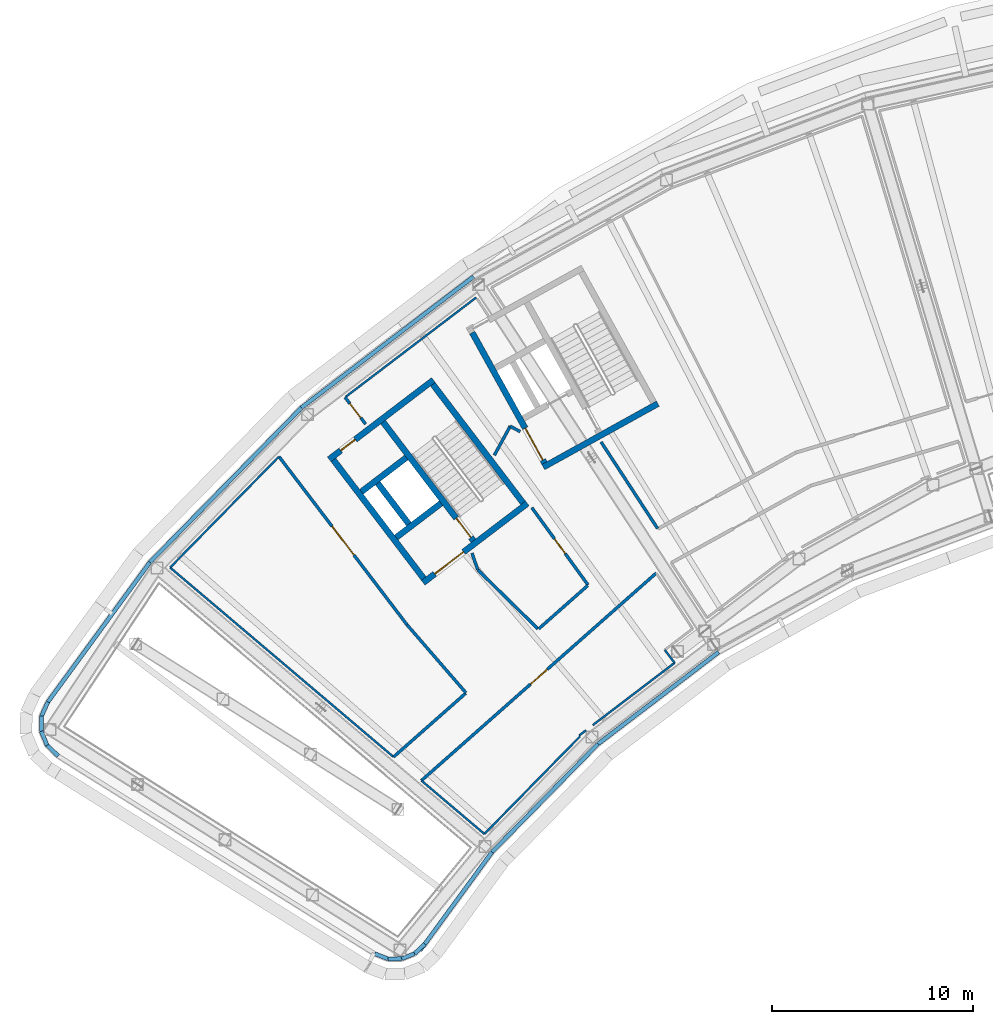
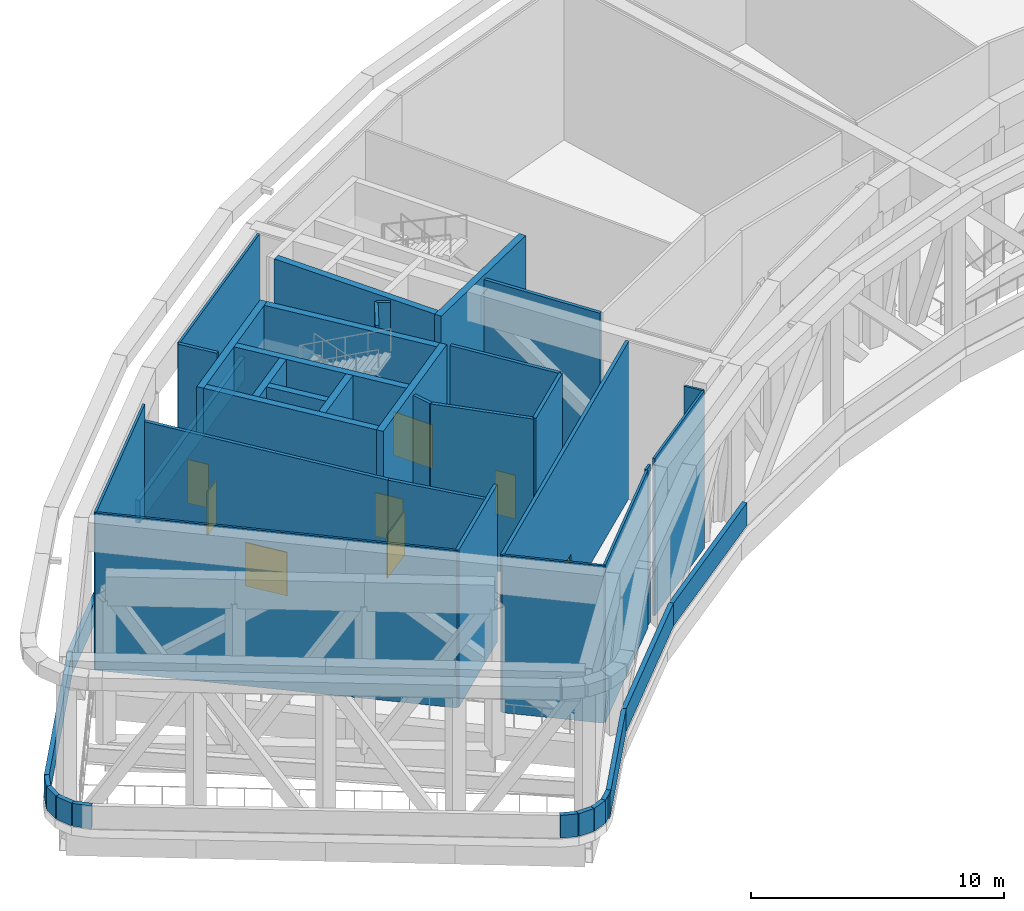
# One storey, part 7 of 24: 44 walls, 8 doors, 8 openings.
"""IFC4 building model written with IfcOpenShell, lengths in metres."""

from ifc_helpers import new_model, si_unit, direction, frame, frame_2d, origin, place, context, subcontext, project, spatial, rectangle, extrude, material, layer, layer_set, type_object, element, fill, save


model = new_model("IFC4")

# Units and contexts
model_context = context("Model", 3, precision=1e-05, world=origin(), true_north=direction((0.0, 1.0)))
body_context = subcontext(model_context, "Body", "Model", "MODEL_VIEW")
ifc_project = project(units=[si_unit("LENGTHUNIT", "METRE"), si_unit("AREAUNIT", "SQUARE_METRE"), si_unit("VOLUMEUNIT", "CUBIC_METRE"), si_unit("PLANEANGLEUNIT", "RADIAN"), si_unit("MASSUNIT", "GRAM", prefix="KILO")], contexts=[model_context])

# Site, building, storey
site_placement = place(None, origin())
site = spatial("IfcSite", under=ifc_project, at=site_placement, CompositionType="ELEMENT")
building_placement = place(site_placement, origin())
building = spatial("IfcBuilding", under=site, at=building_placement, Name="Tuul Gate Civic Tower", CompositionType="ELEMENT")
storey_placement = place(building_placement, frame((0.0, 0.0, 277.800048828125)))
storey = spatial("IfcBuildingStorey", under=building, at=storey_placement, Name="Wind floor 2", CompositionType="ELEMENT", Elevation=277.800048828125)

# Wall, opening, door
ifc_material_1 = material(Name="Concrete C50/60", Category="concrete")
ifc_layer_1 = layer(ifc_material_1, 0.300048828125)
ifc_layer_set_1 = layer_set([ifc_layer_1], Name="Concrete C50/60")
wall_type_1 = type_object("IfcWallType", Name="Core wall C50/60", PredefinedType="SHEAR", material=ifc_layer_set_1)
wall_1_placement = place(storey_placement, frame((-31.19091796875, -13.669677734375, 0.0), z_axis=(0.0, 0.0, 1.0), x_axis=(-0.795606717756, -0.605813461934, 0.0)))
wall_1 = element("IfcWall", 1, at=wall_1_placement, inside=storey, type_object=wall_type_1, Name="Core wall", PredefinedType="SHEAR", context=body_context, shape_type="SweptSolid", body=[
    extrude(rectangle(XDim=6.5, YDim=0.300048828125, at=frame_2d((3.25, 0.0))), origin(), (0.0, 0.0, 1.0), 7.599853515625),
])
opening_1_placement = place(wall_1_placement, frame((3.97509765625, 0.0, 0.0)))
opening_1 = element("IfcOpeningElement", 2, at=opening_1_placement, cuts=wall_1, Name="Opening LB-W1-LOBBY-1", PredefinedType="OPENING", context=body_context, shape_type="SweptSolid", body=[
    extrude(rectangle(XDim=1.800048828125, YDim=2.10009765625, at=frame_2d((0.89990234375, 1.050048828125))), frame((0.0, 0.16015625, 0.0), z_axis=(0.0, -1.0, 0.0), x_axis=(1.0, 0.0, 0.0)), (0.0, 0.0, 1.0), 0.320068359375),
])
ifc_material_2 = material(Name="Steel", Category="steel")
door_type_1 = type_object("IfcDoorType", Name="Lobby door", OperationType="DOUBLE_DOOR_SINGLE_SWING", PredefinedType="DOOR", material=ifc_material_2)
door_1_placement = place(opening_1_placement, origin())
door_1 = element("IfcDoor", 3, at=door_1_placement, inside=storey, type_object=door_type_1, Name="Lobby door W1-LOBBY", OperationType="DOUBLE_DOOR_SINGLE_SWING", OverallHeight=2.10009765625, OverallWidth=1.800048828125, PredefinedType="DOOR", context=body_context, shape_type="SweptSolid", body=[
    extrude(rectangle(XDim=1.800048828125, YDim=2.10009765625, at=frame_2d((0.89990234375, 1.050048828125))), frame((0.0, 0.02490234375, 0.0), z_axis=(0.0, -1.0, 0.0), x_axis=(1.0, 0.0, 0.0)), (0.0, 0.0, 1.0), 0.050048828125),
])
fill(opening_1, door_1)

# Walls
wall_2_placement = place(storey_placement, frame((-35.470947265625, -13.66064453125, 0.0), z_axis=(0.0, 0.0, 1.0), x_axis=(-0.795615822227, -0.605801504968, 0.0)))
element("IfcWall", 4, at=wall_2_placement, inside=storey, type_object=wall_type_1, Name="Core wall", PredefinedType="SHEAR", context=body_context, shape_type="SweptSolid", body=[
    extrude(rectangle(XDim=2.800048828125, YDim=0.300048828125, at=frame_2d((1.39990234375, 0.0))), origin(), (0.0, 0.0, 1.0), 7.599853515625),
])
wall_3_placement = place(storey_placement, frame((-37.197509765625, -11.39306640625, 0.0), z_axis=(0.0, 0.0, 1.0), x_axis=(-0.795583820278, -0.605843531707, 0.0)))
element("IfcWall", 5, at=wall_3_placement, inside=storey, type_object=wall_type_1, Name="Core wall", PredefinedType="SHEAR", context=body_context, shape_type="SweptSolid", body=[
    extrude(rectangle(XDim=2.7998046875, YDim=0.300048828125, at=frame_2d((1.39990234375, 0.0))), origin(), (0.0, 0.0, 1.0), 7.599853515625),
])

# Wall, opening, door
wall_4_placement = place(storey_placement, frame((-35.855224609375, -7.543212890625, 0.0), z_axis=(0.0, 0.0, 1.0), x_axis=(-0.79563860527, -0.605771582202, 0.0)))
wall_4 = element("IfcWall", 6, at=wall_4_placement, inside=storey, type_object=wall_type_1, Name="Core wall", PredefinedType="SHEAR", context=body_context, shape_type="SweptSolid", body=[
    extrude(rectangle(XDim=6.5, YDim=0.300048828125, at=frame_2d((3.25, 0.0))), origin(), (0.0, 0.0, 1.0), 7.599853515625),
])
opening_2_placement = place(wall_4_placement, frame((4.875, 0.0, 0.0)))
opening_2 = element("IfcOpeningElement", 7, at=opening_2_placement, cuts=wall_4, Name="Opening AG-D17", PredefinedType="OPENING", context=body_context, shape_type="SweptSolid", body=[
    extrude(rectangle(XDim=0.89990234375, YDim=2.10009765625, at=frame_2d((0.449951171875, 1.050048828125))), frame((0.0, 0.16015625, 0.0), z_axis=(0.0, -1.0, 0.0), x_axis=(1.0, 0.0, 0.0)), (0.0, 0.0, 1.0), 0.320068359375),
])
ifc_material_3 = material(Name="Timber door leaf", Category="wood")
door_type_2 = type_object("IfcDoorType", Name="Door D09", OperationType="NOTDEFINED", PredefinedType="DOOR", material=ifc_material_3)
door_2_placement = place(opening_2_placement, origin())
door_2 = element("IfcDoor", 8, at=door_2_placement, inside=storey, type_object=door_type_2, Name="Door AG-D17", OperationType="SINGLE_SWING_LEFT", OverallHeight=2.10009765625, OverallWidth=0.89990234375, PredefinedType="DOOR", context=body_context, shape_type="SweptSolid", body=[
    extrude(rectangle(XDim=0.89990234375, YDim=2.10009765625, at=frame_2d((0.449951171875, 1.050048828125))), frame((0.0, 0.02490234375, 0.0), z_axis=(0.0, -1.0, 0.0), x_axis=(1.0, 0.0, 0.0)), (0.0, 0.0, 1.0), 0.050048828125),
])
fill(opening_2, door_2)

# Wall
wall_5_placement = place(storey_placement, frame((-31.401123046875, -13.64111328125, 0.0), z_axis=(0.0, 0.0, 1.0), x_axis=(-0.605769822278, 0.795639945213, 0.0)))
element("IfcWall", 9, at=wall_5_placement, inside=storey, type_object=wall_type_1, Name="Core wall", PredefinedType="SHEAR", context=body_context, shape_type="SweptSolid", body=[
    extrude(rectangle(XDim=7.39990234375, YDim=0.300048828125, at=frame_2d((3.699951171875, 0.0))), origin(), (0.0, 0.0, 1.0), 7.599853515625),
])

# Wall, opening, door
wall_6_placement = place(storey_placement, frame((-33.867431640625, -15.51904296875, 0.0), z_axis=(0.0, 0.0, 1.0), x_axis=(-0.605769822278, 0.795639945213, 0.0)))
wall_6 = element("IfcWall", 10, at=wall_6_placement, inside=storey, type_object=wall_type_1, Name="Core wall", PredefinedType="SHEAR", context=body_context, shape_type="SweptSolid", body=[
    extrude(rectangle(XDim=7.39990234375, YDim=0.300048828125, at=frame_2d((3.699951171875, 0.0))), origin(), (0.0, 0.0, 1.0), 7.599853515625),
])
opening_3_placement = place(wall_6_placement, frame((0.199951171875, 0.0, 0.0)))
opening_3 = element("IfcOpeningElement", 11, at=opening_3_placement, cuts=wall_6, Name="Opening SD-ST-1", PredefinedType="OPENING", context=body_context, shape_type="SweptSolid", body=[
    extrude(rectangle(XDim=1.199951171875, YDim=2.10009765625, at=frame_2d((0.60009765625, 1.050048828125))), frame((0.0, 0.16015625, 0.0), z_axis=(0.0, -1.0, 0.0), x_axis=(1.0, 0.0, 0.0)), (0.0, 0.0, 1.0), 0.320068359375),
])
ifc_material_4 = material(Name="Steel", Category="steel")
door_type_3 = type_object("IfcDoorType", Name="Stair door", OperationType="NOTDEFINED", PredefinedType="DOOR", material=ifc_material_4)
door_3_placement = place(opening_3_placement, origin())
door_3 = element("IfcDoor", 12, at=door_3_placement, inside=storey, type_object=door_type_3, Name="Stair door ST-1", OperationType="SINGLE_SWING_LEFT", OverallHeight=2.10009765625, OverallWidth=1.199951171875, PredefinedType="DOOR", context=body_context, shape_type="SweptSolid", body=[
    extrude(rectangle(XDim=1.199951171875, YDim=2.10009765625, at=frame_2d((0.60009765625, 1.050048828125))), frame((0.0, 0.02490234375, 0.0), z_axis=(0.0, -1.0, 0.0), x_axis=(1.0, 0.0, 0.0)), (0.0, 0.0, 1.0), 0.050048828125),
])
fill(opening_3, door_3)

# Walls
wall_7_placement = place(storey_placement, frame((-37.073486328125, -14.6923828125, 0.0), z_axis=(0.0, 0.0, 1.0), x_axis=(-0.605728760074, 0.79567120673, 0.0)))
element("IfcWall", 13, at=wall_7_placement, inside=storey, type_object=wall_type_1, Name="Core wall", PredefinedType="SHEAR", context=body_context, shape_type="SweptSolid", body=[
    extrude(rectangle(XDim=2.550048828125, YDim=0.300048828125, at=frame_2d((1.27490234375, 0.0))), origin(), (0.0, 0.0, 1.0), 7.599853515625),
])
wall_8_placement = place(storey_placement, frame((-36.333984375, -17.397216796875, 0.0), z_axis=(0.0, 0.0, 1.0), x_axis=(-0.605753921168, 0.795652051458, 0.0)))
element("IfcWall", 14, at=wall_8_placement, inside=storey, type_object=wall_type_1, Name="Core wall", PredefinedType="SHEAR", context=body_context, shape_type="SweptSolid", body=[
    extrude(rectangle(XDim=7.400146484375, YDim=0.300048828125, at=frame_2d((3.7001953125, 0.0))), origin(), (0.0, 0.0, 1.0), 7.599853515625),
])
wall_9_placement = place(storey_placement, frame((-24.711669921875, -8.7158203125, 0.0), z_axis=(0.0, 0.0, 1.0), x_axis=(-0.874629909008, -0.484791215132, 0.0)))
element("IfcWall", 15, at=wall_9_placement, inside=storey, type_object=wall_type_1, Name="Core wall", PredefinedType="SHEAR", context=body_context, shape_type="SweptSolid", body=[
    extrude(rectangle(XDim=6.5, YDim=0.300048828125, at=frame_2d((3.25, 0.0))), origin(), (0.0, 0.0, 1.0), 7.599853515625),
])

# Wall, opening, door
wall_10_placement = place(storey_placement, frame((-30.33837890625, -11.6630859375, 0.0), z_axis=(0.0, 0.0, 1.0), x_axis=(-0.484751894226, 0.874651702704, 0.0)))
wall_10 = element("IfcWall", 16, at=wall_10_placement, inside=storey, type_object=wall_type_1, Name="Core wall", PredefinedType="SHEAR", context=body_context, shape_type="SweptSolid", body=[
    extrude(rectangle(XDim=7.39990234375, YDim=0.300048828125, at=frame_2d((3.699951171875, 0.0))), origin(), (0.0, 0.0, 1.0), 7.599853515625),
])
opening_4_placement = place(wall_10_placement, frame((0.175048828125, 0.0, 0.0)))
opening_4 = element("IfcOpeningElement", 17, at=opening_4_placement, cuts=wall_10, Name="Opening LB-W2-FLOBBY-1", PredefinedType="OPENING", context=body_context, shape_type="SweptSolid", body=[
    extrude(rectangle(XDim=1.800048828125, YDim=2.10009765625, at=frame_2d((0.89990234375, 1.050048828125))), frame((0.0, 0.16015625, 0.0), z_axis=(0.0, -1.0, 0.0), x_axis=(1.0, 0.0, 0.0)), (0.0, 0.0, 1.0), 0.320068359375),
])
door_4_placement = place(opening_4_placement, frame((1.800048828125, 0.0, 0.0), z_axis=(0.0, 0.0, 1.0), x_axis=(-1.0, 0.0, 0.0)))
door_4 = element("IfcDoor", 18, at=door_4_placement, inside=storey, type_object=door_type_1, Name="Lobby door W2-FLOBBY", OperationType="DOUBLE_DOOR_SINGLE_SWING", OverallHeight=2.10009765625, OverallWidth=1.800048828125, PredefinedType="DOOR", context=body_context, shape_type="SweptSolid", body=[
    extrude(rectangle(XDim=1.800048828125, YDim=2.10009765625, at=frame_2d((0.900146484375, 1.050048828125))), frame((0.0, 0.02490234375, 0.0), z_axis=(0.0, -1.0, 0.0), x_axis=(1.0, 0.0, 0.0)), (0.0, 0.0, 1.0), 0.050048828125),
])
fill(opening_4, door_4)

ifc_material_5 = material(Name="Gypsum board partition")
ifc_layer_2 = layer(ifc_material_5, 0.14990234375)
ifc_layer_set_2 = layer_set([ifc_layer_2], Name="Gypsum board partition")
wall_type_2 = type_object("IfcWallType", Name="Corridor wall P150", PredefinedType="PARTITIONING", material=ifc_layer_set_2)
wall_11_placement = place(storey_placement, frame((-30.9677734375, -13.87744140625, 0.0), z_axis=(0.0, 0.0, 1.0), x_axis=(0.587987997136, -0.808869652802, 0.0)))
wall_11 = element("IfcWall", 19, at=wall_11_placement, inside=storey, type_object=wall_type_2, Name="p001", PredefinedType="PARTITIONING", context=body_context, shape_type="SweptSolid", body=[
    extrude(rectangle(XDim=4.74169921875, YDim=0.14990234375, at=frame_2d((2.370849609375, 0.0))), origin(), (0.0, 0.0, 1.0), 7.599853515625),
])
opening_5_placement = place(wall_11_placement, frame((1.9208984375, 0.0, 0.0)))
opening_5 = element("IfcOpeningElement", 20, at=opening_5_placement, cuts=wall_11, Name="Opening AG-D01", PredefinedType="OPENING", context=body_context, shape_type="SweptSolid", body=[
    extrude(rectangle(XDim=0.89990234375, YDim=2.10009765625, at=frame_2d((0.449951171875, 1.050048828125))), frame((0.0, 0.0849609375, 0.0), z_axis=(0.0, -1.0, 0.0), x_axis=(1.0, 0.0, 0.0)), (0.0, 0.0, 1.0), 0.169921875),
])
door_5_placement = place(opening_5_placement, frame((0.89990234375, 0.0, 0.0), z_axis=(0.0, 0.0, 1.0), x_axis=(-1.0, 0.0, 0.0)))
door_5 = element("IfcDoor", 21, at=door_5_placement, inside=storey, type_object=door_type_2, Name="Door AG-D01", OperationType="SINGLE_SWING_LEFT", OverallHeight=2.10009765625, OverallWidth=0.89990234375, PredefinedType="DOOR", context=body_context, shape_type="SweptSolid", body=[
    extrude(rectangle(XDim=0.89990234375, YDim=2.10009765625, at=frame_2d((0.449951171875, 1.050048828125))), frame((0.0, 0.02490234375, 0.0), z_axis=(0.0, -1.0, 0.0), x_axis=(1.0, 0.0, 0.0)), (0.0, 0.0, 1.0), 0.050048828125),
])
fill(opening_5, door_5)

# Walls
wall_12_placement = place(storey_placement, frame((-37.83154296875, -26.255859375, 0.0), z_axis=(0.0, 0.0, 1.0), x_axis=(0.749742498452, 0.66172969256, 0.0)))
element("IfcWall", 22, at=wall_12_placement, inside=storey, type_object=wall_type_2, Name="p002", PredefinedType="PARTITIONING", context=body_context, shape_type="SweptSolid", body=[
    extrude(rectangle(XDim=4.7822265625, YDim=0.14990234375, at=frame_2d((2.39111328125, 0.0))), origin(), (0.0, 0.0, 1.0), 7.599853515625),
])
wall_13_placement = place(storey_placement, frame((-30.630615234375, -19.900146484375, 0.0), z_axis=(0.0, 0.0, 1.0), x_axis=(0.749706909466, 0.661770012844, 0.0)))
element("IfcWall", 23, at=wall_13_placement, inside=storey, type_object=wall_type_2, Name="p003", PredefinedType="PARTITIONING", context=body_context, shape_type="SweptSolid", body=[
    extrude(rectangle(XDim=3.264892578125, YDim=0.14990234375, at=frame_2d((1.63232421875, 0.0))), origin(), (0.0, 0.0, 1.0), 7.599853515625),
])
wall_14_placement = place(storey_placement, frame((-33.6484375, -16.9677734375, 0.0), z_axis=(0.0, 0.0, 1.0), x_axis=(0.714096839234, -0.700046929996, 0.0)))
element("IfcWall", 24, at=wall_14_placement, inside=storey, type_object=wall_type_2, Name="p004", PredefinedType="PARTITIONING", context=body_context, shape_type="SweptSolid", body=[
    extrude(rectangle(XDim=4.187744140625, YDim=0.14990234375, at=frame_2d((2.09375, 0.0))), origin(), (0.0, 0.0, 1.0), 7.599853515625),
])

# Wall, opening, door
wall_15_placement = place(storey_placement, frame((-40.240234375, -8.40185546875, 0.0), z_axis=(0.0, 0.0, 1.0), x_axis=(0.609830642193, -0.792531758255, 0.0)))
wall_15 = element("IfcWall", 25, at=wall_15_placement, inside=storey, type_object=wall_type_2, Name="p005", PredefinedType="PARTITIONING", context=body_context, shape_type="SweptSolid", body=[
    extrude(rectangle(XDim=1.673095703125, YDim=0.14990234375, at=frame_2d((0.83642578125, 0.0))), origin(), (0.0, 0.0, 1.0), 7.599853515625),
])
opening_6_placement = place(wall_15_placement, frame((0.386474609375, 0.0, 0.0)))
opening_6 = element("IfcOpeningElement", 26, at=opening_6_placement, cuts=wall_15, Name="Opening AG-D14", PredefinedType="OPENING", context=body_context, shape_type="SweptSolid", body=[
    extrude(rectangle(XDim=0.89990234375, YDim=2.10009765625, at=frame_2d((0.449951171875, 1.050048828125))), frame((0.0, 0.0849609375, 0.0), z_axis=(0.0, -1.0, 0.0), x_axis=(1.0, 0.0, 0.0)), (0.0, 0.0, 1.0), 0.169921875),
])
door_6_placement = place(opening_6_placement, origin())
door_6 = element("IfcDoor", 27, at=door_6_placement, inside=storey, type_object=door_type_2, Name="Door AG-D14", OperationType="SINGLE_SWING_LEFT", OverallHeight=2.10009765625, OverallWidth=0.89990234375, PredefinedType="DOOR", context=body_context, shape_type="SweptSolid", body=[
    extrude(rectangle(XDim=0.89990234375, YDim=2.10009765625, at=frame_2d((0.449951171875, 1.050048828125))), frame((0.0, 0.02490234375, 0.0), z_axis=(0.0, -1.0, 0.0), x_axis=(1.0, 0.0, 0.0)), (0.0, 0.0, 1.0), 0.050048828125),
])
fill(opening_6, door_6)

# Walls
wall_16_placement = place(storey_placement, frame((-33.935546875, -16.13720703125, 0.0), z_axis=(0.0, 0.0, 1.0), x_axis=(0.324467839266, -0.945896728656, 0.0)))
element("IfcWall", 28, at=wall_16_placement, inside=storey, type_object=wall_type_2, Name="p006", PredefinedType="PARTITIONING", context=body_context, shape_type="SweptSolid", body=[
    extrude(rectangle(XDim=0.869873046875, YDim=0.14990234375, at=frame_2d((0.43505859375, 0.0))), origin(), (0.0, 0.0, 1.0), 7.599853515625),
])
wall_17_placement = place(storey_placement, frame((-27.526123046875, -10.619384765625, 0.0), z_axis=(0.0, 0.0, 1.0), x_axis=(0.546465035904, -0.83748191893, 0.0)))
element("IfcWall", 29, at=wall_17_placement, inside=storey, type_object=wall_type_2, Name="p032", PredefinedType="PARTITIONING", context=body_context, shape_type="SweptSolid", body=[
    extrude(rectangle(XDim=5.13427734375, YDim=0.14990234375, at=frame_2d((2.567138671875, 0.0))), origin(), (0.0, 0.0, 1.0), 7.599853515625),
])
wall_18_placement = place(storey_placement, frame((-32.0390625, -9.835205078125, 0.0), z_axis=(0.0, 0.0, 1.0), x_axis=(0.877183110455, -0.480156006661, 0.0)))
element("IfcWall", 30, at=wall_18_placement, inside=storey, type_object=wall_type_2, Name="p035", PredefinedType="PARTITIONING", context=body_context, shape_type="SweptSolid", body=[
    extrude(rectangle(XDim=0.56396484375, YDim=0.14990234375, at=frame_2d((0.281982421875, 0.0))), origin(), (0.0, 0.0, 1.0), 7.599853515625),
])
wall_19_placement = place(storey_placement, frame((-32.826416015625, -11.273193359375, 0.0), z_axis=(0.0, 0.0, 1.0), x_axis=(0.479978968331, 0.87727999519, 0.0)))
element("IfcWall", 31, at=wall_19_placement, inside=storey, type_object=wall_type_2, Name="p036", PredefinedType="PARTITIONING", context=body_context, shape_type="SweptSolid", body=[
    extrude(rectangle(XDim=1.638916015625, YDim=0.14990234375, at=frame_2d((0.8193359375, 0.0))), origin(), (0.0, 0.0, 1.0), 7.599853515625),
])

# Wall, opening, door
wall_20_placement = place(storey_placement, frame((-36.447509765625, -27.42919921875, 0.0), z_axis=(0.0, 0.0, 1.0), x_axis=(0.749327455651, 0.662199640749, 0.0)))
wall_20 = element("IfcWall", 32, at=wall_20_placement, inside=storey, type_object=wall_type_2, Name="p037", PredefinedType="PARTITIONING", context=body_context, shape_type="SweptSolid", body=[
    extrude(rectangle(XDim=15.55712890625, YDim=0.14990234375, at=frame_2d((7.778564453125, 0.0))), origin(), (0.0, 0.0, 1.0), 7.599853515625),
])
opening_7_placement = place(wall_20_placement, frame((7.228515625, 0.0, 0.0)))
opening_7 = element("IfcOpeningElement", 33, at=opening_7_placement, cuts=wall_20, Name="Opening AG-D15", PredefinedType="OPENING", context=body_context, shape_type="SweptSolid", body=[
    extrude(rectangle(XDim=1.10009765625, YDim=2.10009765625, at=frame_2d((0.550048828125, 1.050048828125))), frame((0.0, 0.0849609375, 0.0), z_axis=(0.0, -1.0, 0.0), x_axis=(1.0, 0.0, 0.0)), (0.0, 0.0, 1.0), 0.169921875),
])
ifc_material_6 = material(Name="Timber door leaf", Category="wood")
door_type_4 = type_object("IfcDoorType", Name="Door D11", OperationType="NOTDEFINED", PredefinedType="DOOR", material=ifc_material_6)
door_7_placement = place(opening_7_placement, frame((1.10009765625, 0.0, 0.0), z_axis=(0.0, 0.0, 1.0), x_axis=(-1.0, 0.0, 0.0)))
door_7 = element("IfcDoor", 34, at=door_7_placement, inside=storey, type_object=door_type_4, Name="Door AG-D15", OperationType="SINGLE_SWING_LEFT", OverallHeight=2.10009765625, OverallWidth=1.10009765625, PredefinedType="DOOR", context=body_context, shape_type="SweptSolid", body=[
    extrude(rectangle(XDim=1.10009765625, YDim=2.10009765625, at=frame_2d((0.550048828125, 1.050048828125))), frame((0.0, 0.02490234375, 0.0), z_axis=(0.0, -1.0, 0.0), x_axis=(1.0, 0.0, 0.0)), (0.0, 0.0, 1.0), 0.050048828125),
])
fill(opening_7, door_7)

ifc_material_7 = material(Name="Gypsum board partition")
ifc_layer_3 = layer(ifc_material_7, 0.14990234375)
ifc_layer_set_3 = layer_set([ifc_layer_3], Name="Gypsum board partition")
wall_type_3 = type_object("IfcWallType", Name="Corridor wall P150 6800 HIGH", PredefinedType="PARTITIONING", material=ifc_layer_set_3)
wall_21_placement = place(storey_placement, frame((-43.52099609375, -11.34228515625, 0.0), z_axis=(0.0, 0.0, 1.0), x_axis=(0.605765753559, -0.795643042963, 0.0)))
wall_21 = element("IfcWall", 35, at=wall_21_placement, inside=storey, type_object=wall_type_3, Name="p038", PredefinedType="PARTITIONING", context=body_context, shape_type="SweptSolid", body=[
    extrude(rectangle(XDim=10.499755859375, YDim=0.14990234375, at=frame_2d((5.25, 0.0))), origin(), (0.0, 0.0, 1.0), 6.800048828125),
])
opening_8_placement = place(wall_21_placement, frame((4.349853515625, 0.0, 0.0)))
opening_8 = element("IfcOpeningElement", 36, at=opening_8_placement, cuts=wall_21, Name="Opening AG-D16", PredefinedType="OPENING", context=body_context, shape_type="SweptSolid", body=[
    extrude(rectangle(XDim=1.800048828125, YDim=2.10009765625, at=frame_2d((0.89990234375, 1.050048828125))), frame((0.0, 0.0849609375, 0.0), z_axis=(0.0, -1.0, 0.0), x_axis=(1.0, 0.0, 0.0)), (0.0, 0.0, 1.0), 0.169921875),
])
ifc_material_8 = material(Name="Timber door leaf, double", Category="wood")
door_type_5 = type_object("IfcDoorType", Name="Door D18", OperationType="DOUBLE_DOOR_SINGLE_SWING", PredefinedType="DOOR", material=ifc_material_8)
door_8_placement = place(opening_8_placement, frame((1.800048828125, 0.0, 0.0), z_axis=(0.0, 0.0, 1.0), x_axis=(-1.0, 0.0, 0.0)))
door_8 = element("IfcDoor", 37, at=door_8_placement, inside=storey, type_object=door_type_5, Name="Door AG-D16", OperationType="DOUBLE_DOOR_SINGLE_SWING", OverallHeight=2.10009765625, OverallWidth=1.800048828125, PredefinedType="DOOR", context=body_context, shape_type="SweptSolid", body=[
    extrude(rectangle(XDim=1.800048828125, YDim=2.10009765625, at=frame_2d((0.900146484375, 1.050048828125))), frame((0.0, 0.02490234375, 0.0), z_axis=(0.0, -1.0, 0.0), x_axis=(1.0, 0.0, 0.0)), (0.0, 0.0, 1.0), 0.050048828125),
])
fill(opening_8, door_8)

# Walls
wall_22_placement = place(storey_placement, frame((-37.16064453125, -19.6962890625, 0.0), z_axis=(0.0, 0.0, 1.0), x_axis=(0.654705148485, -0.755884361888, 0.0)))
element("IfcWall", 38, at=wall_22_placement, inside=storey, type_object=wall_type_3, Name="p039", PredefinedType="PARTITIONING", context=body_context, shape_type="SweptSolid", body=[
    extrude(rectangle(XDim=4.454345703125, YDim=0.14990234375, at=frame_2d((2.22705078125, 0.0))), origin(), (0.0, 0.0, 1.0), 6.800048828125),
])
ifc_material_9 = material(Name="Concrete C40/50", Category="concrete")
ifc_layer_4 = layer(ifc_material_9, 0.199951171875)
ifc_layer_set_4 = layer_set([ifc_layer_4], Name="Concrete C40/50")
wall_type_4 = type_object("IfcWallType", Name="Crown parapet", PredefinedType="PARAPET", material=ifc_layer_set_4)
wall_23_placement = place(storey_placement, frame((-33.86083984375, -2.412841796875, 0.0), z_axis=(0.0, 0.0, 1.0), x_axis=(-0.795606982019, -0.605813114882, 0.0)))
element("IfcWall", 39, at=wall_23_placement, inside=storey, type_object=wall_type_4, Name="Parapet", PredefinedType="PARAPET", context=body_context, shape_type="SweptSolid", body=[
    extrude(rectangle(XDim=10.7421875, YDim=0.199951171875, at=frame_2d((5.37109375, 0.0))), origin(), (0.0, 0.0, 1.0), 1.099853515625),
])
wall_24_placement = place(storey_placement, frame((-42.407470703125, -8.920654296875, 0.0), z_axis=(0.0, 0.0, 1.0), x_axis=(-0.700049825897, -0.714094000298, 0.0)))
element("IfcWall", 40, at=wall_24_placement, inside=storey, type_object=wall_type_4, Name="Parapet", PredefinedType="PARAPET", context=body_context, shape_type="SweptSolid", body=[
    extrude(rectangle(XDim=10.7431640625, YDim=0.199951171875, at=frame_2d((5.37158203125, 0.0))), origin(), (0.0, 0.0, 1.0), 1.099853515625),
])
wall_25_placement = place(storey_placement, frame((-49.92822265625, -16.59228515625, 0.0), z_axis=(0.0, 0.0, 1.0), x_axis=(-0.589712199688, -0.807613472856, 0.0)))
element("IfcWall", 41, at=wall_25_placement, inside=storey, type_object=wall_type_4, Name="Parapet", PredefinedType="PARAPET", context=body_context, shape_type="SweptSolid", body=[
    extrude(rectangle(XDim=8.587890625, YDim=0.199951171875, at=frame_2d((4.2939453125, 0.0))), origin(), (0.0, 0.0, 1.0), 1.099853515625),
])
wall_26_placement = place(storey_placement, frame((-54.99267578125, -23.528076171875, 0.0), z_axis=(0.0, 0.0, 1.0), x_axis=(-0.413252856297, -0.910616316987, 0.0)))
element("IfcWall", 42, at=wall_26_placement, inside=storey, type_object=wall_type_4, Name="Parapet", PredefinedType="PARAPET", context=body_context, shape_type="SweptSolid", body=[
    extrude(rectangle(XDim=0.769287109375, YDim=0.199951171875, at=frame_2d((0.384765625, 0.0))), origin(), (0.0, 0.0, 1.0), 1.099853515625),
])
wall_27_placement = place(storey_placement, frame((-55.310546875, -24.228515625, 0.0), z_axis=(0.0, 0.0, 1.0), x_axis=(-0.014599352391, -0.999893423776, 0.0)))
element("IfcWall", 43, at=wall_27_placement, inside=storey, type_object=wall_type_4, Name="Parapet", PredefinedType="PARAPET", context=body_context, shape_type="SweptSolid", body=[
    extrude(rectangle(XDim=0.75244140625, YDim=0.199951171875, at=frame_2d((0.376220703125, 0.0))), origin(), (0.0, 0.0, 1.0), 1.099853515625),
])
wall_28_placement = place(storey_placement, frame((-55.321533203125, -24.98095703125, 0.0), z_axis=(0.0, 0.0, 1.0), x_axis=(0.385811143559, -0.922577780735, 0.0)))
element("IfcWall", 44, at=wall_28_placement, inside=storey, type_object=wall_type_4, Name="Parapet", PredefinedType="PARAPET", context=body_context, shape_type="SweptSolid", body=[
    extrude(rectangle(XDim=0.753662109375, YDim=0.199951171875, at=frame_2d((0.376953125, 0.0))), origin(), (0.0, 0.0, 1.0), 1.099853515625),
])
wall_29_placement = place(storey_placement, frame((-55.03076171875, -25.67626953125, 0.0), z_axis=(0.0, 0.0, 1.0), x_axis=(0.722338380807, -0.691539777318, 0.0)))
element("IfcWall", 45, at=wall_29_placement, inside=storey, type_object=wall_type_4, Name="Parapet", PredefinedType="PARAPET", context=body_context, shape_type="SweptSolid", body=[
    extrude(rectangle(XDim=0.768798828125, YDim=0.199951171875, at=frame_2d((0.38427734375, 0.0))), origin(), (0.0, 0.0, 1.0), 1.099853515625),
])
wall_30_placement = place(storey_placement, frame((-38.7705078125, -36.021484375, 0.0), z_axis=(0.0, 0.0, 1.0), x_axis=(0.931606319494, -0.363468933305, 0.0)))
element("IfcWall", 46, at=wall_30_placement, inside=storey, type_object=wall_type_4, Name="Parapet", PredefinedType="PARAPET", context=body_context, shape_type="SweptSolid", body=[
    extrude(rectangle(XDim=0.70263671875, YDim=0.199951171875, at=frame_2d((0.351318359375, 0.0))), origin(), (0.0, 0.0, 1.0), 1.099853515625),
])
wall_31_placement = place(storey_placement, frame((-38.115966796875, -36.27685546875, 0.0), z_axis=(0.0, 0.0, 1.0), x_axis=(0.999992381518, 0.003903447905, 0.0)))
element("IfcWall", 47, at=wall_31_placement, inside=storey, type_object=wall_type_4, Name="Parapet", PredefinedType="PARAPET", context=body_context, shape_type="SweptSolid", body=[
    extrude(rectangle(XDim=0.68798828125, YDim=0.199951171875, at=frame_2d((0.343994140625, 0.0))), origin(), (0.0, 0.0, 1.0), 1.099853515625),
])
wall_32_placement = place(storey_placement, frame((-37.427978515625, -36.274169921875, 0.0), z_axis=(0.0, 0.0, 1.0), x_axis=(0.929233590569, 0.36949280664, 0.0)))
element("IfcWall", 48, at=wall_32_placement, inside=storey, type_object=wall_type_4, Name="Parapet", PredefinedType="PARAPET", context=body_context, shape_type="SweptSolid", body=[
    extrude(rectangle(XDim=0.687744140625, YDim=0.199951171875, at=frame_2d((0.34375, 0.0))), origin(), (0.0, 0.0, 1.0), 1.099853515625),
])
wall_33_placement = place(storey_placement, frame((-36.788818359375, -36.02001953125, 0.0), z_axis=(0.0, 0.0, 1.0), x_axis=(0.730176325427, 0.68325876049, 0.0)))
element("IfcWall", 49, at=wall_33_placement, inside=storey, type_object=wall_type_4, Name="Parapet", PredefinedType="PARAPET", context=body_context, shape_type="SweptSolid", body=[
    extrude(rectangle(XDim=0.702392578125, YDim=0.199951171875, at=frame_2d((0.35107421875, 0.0))), origin(), (0.0, 0.0, 1.0), 1.099853515625),
])
wall_34_placement = place(storey_placement, frame((-36.517578125, -35.87109375, 0.0), z_axis=(0.0, 0.0, 1.0), x_axis=(0.58981626767, 0.807537473057, 0.0)))
element("IfcWall", 50, at=wall_34_placement, inside=storey, type_object=wall_type_4, Name="Parapet", PredefinedType="PARAPET", context=body_context, shape_type="SweptSolid", body=[
    extrude(rectangle(XDim=6.05078125, YDim=0.199951171875, at=frame_2d((3.025390625, 0.0))), origin(), (0.0, 0.0, 1.0), 1.099853515625),
])
wall_35_placement = place(storey_placement, frame((-32.94873046875, -30.98486328125, 0.0), z_axis=(0.0, 0.0, 1.0), x_axis=(0.700001041754, 0.714141821729, 0.0)))
element("IfcWall", 51, at=wall_35_placement, inside=storey, type_object=wall_type_4, Name="Parapet", PredefinedType="PARAPET", context=body_context, shape_type="SweptSolid", body=[
    extrude(rectangle(XDim=7.527587890625, YDim=0.199951171875, at=frame_2d((3.763671875, 0.0))), origin(), (0.0, 0.0, 1.0), 1.099853515625),
])
wall_36_placement = place(storey_placement, frame((-27.679443359375, -25.609130859375, 0.0), z_axis=(0.0, 0.0, 1.0), x_axis=(0.795650592846, 0.605755837036, 0.0)))
element("IfcWall", 52, at=wall_36_placement, inside=storey, type_object=wall_type_4, Name="Parapet", PredefinedType="PARAPET", context=body_context, shape_type="SweptSolid", body=[
    extrude(rectangle(XDim=7.5263671875, YDim=0.199951171875, at=frame_2d((3.76318359375, 0.0))), origin(), (0.0, 0.0, 1.0), 1.099853515625),
])
ifc_material_10 = material(Name="Gypsum board partition")
ifc_layer_5 = layer(ifc_material_10, 0.10009765625)
ifc_layer_set_5 = layer_set([ifc_layer_5], Name="Gypsum board partition")
wall_type_5 = type_object("IfcWallType", Name="Partition P100", PredefinedType="PARTITIONING", material=ifc_layer_set_5)
wall_37_placement = place(storey_placement, frame((-40.21337890625, -8.38134765625, 0.0), z_axis=(0.0, 0.0, 1.0), x_axis=(0.795627578277, 0.605786065113, 0.0)))
element("IfcWall", 53, at=wall_37_placement, inside=storey, type_object=wall_type_5, Name="p090", PredefinedType="PARTITIONING", context=body_context, shape_type="SweptSolid", body=[
    extrude(rectangle(XDim=8.1533203125, YDim=0.10009765625, at=frame_2d((4.07666015625, 0.0))), origin(), (0.0, 0.0, 1.0), 7.599853515625),
])
wall_38_placement = place(storey_placement, frame((-24.36669921875, -20.943603515625, 0.0), z_axis=(0.0, 0.0, 1.0), x_axis=(0.605951835896, -0.795501334112, 0.0)))
element("IfcWall", 54, at=wall_38_placement, inside=storey, type_object=wall_type_5, Name="p095", PredefinedType="PARTITIONING", context=body_context, shape_type="SweptSolid", body=[
    extrude(rectangle(XDim=0.804931640625, YDim=0.10009765625, at=frame_2d((0.40234375, 0.0))), origin(), (0.0, 0.0, 1.0), 7.599853515625),
])
wall_39_placement = place(storey_placement, frame((-23.87890625, -21.583984375, 0.0), z_axis=(0.0, 0.0, 1.0), x_axis=(-0.795653362353, -0.605752199316, 0.0)))
element("IfcWall", 55, at=wall_39_placement, inside=storey, type_object=wall_type_5, Name="p096", PredefinedType="PARTITIONING", context=body_context, shape_type="SweptSolid", body=[
    extrude(rectangle(XDim=5.1064453125, YDim=0.10009765625, at=frame_2d((2.55322265625, 0.0))), origin(), (0.0, 0.0, 1.0), 7.599853515625),
])
wall_40_placement = place(storey_placement, frame((-28.277587890625, -24.9326171875, 0.0), z_axis=(0.0, 0.0, 1.0), x_axis=(-0.795485425099, -0.605972720884, 0.0)))
element("IfcWall", 56, at=wall_40_placement, inside=storey, type_object=wall_type_5, Name="p097", PredefinedType="PARTITIONING", context=body_context, shape_type="SweptSolid", body=[
    extrude(rectangle(XDim=0.41748046875, YDim=0.10009765625, at=frame_2d((0.208740234375, 0.0))), origin(), (0.0, 0.0, 1.0), 7.599853515625),
])
wall_41_placement = place(storey_placement, frame((-28.57275390625, -25.23388671875, 0.0), z_axis=(0.0, 0.0, 1.0), x_axis=(-0.699945470534, -0.71419628834, 0.0)))
element("IfcWall", 57, at=wall_41_placement, inside=storey, type_object=wall_type_5, Name="p098", PredefinedType="PARTITIONING", context=body_context, shape_type="SweptSolid", body=[
    extrude(rectangle(XDim=6.7841796875, YDim=0.10009765625, at=frame_2d((3.39208984375, 0.0))), origin(), (0.0, 0.0, 1.0), 7.599853515625),
])
wall_42_placement = place(storey_placement, frame((-33.3212890625, -30.0791015625, 0.0), z_axis=(0.0, 0.0, 1.0), x_axis=(-0.762827866231, 0.646601613438, 0.0)))
element("IfcWall", 58, at=wall_42_placement, inside=storey, type_object=wall_type_5, Name="p099", PredefinedType="PARTITIONING", context=body_context, shape_type="SweptSolid", body=[
    extrude(rectangle(XDim=4.09814453125, YDim=0.10009765625, at=frame_2d((2.049072265625, 0.0))), origin(), (0.0, 0.0, 1.0), 7.599853515625),
])
wall_43_placement = place(storey_placement, frame((-37.83154296875, -26.255859375, 0.0), z_axis=(0.0, 0.0, 1.0), x_axis=(-0.762831313281, 0.646597546761, 0.0)))
element("IfcWall", 59, at=wall_43_placement, inside=storey, type_object=wall_type_5, Name="p100", PredefinedType="PARTITIONING", context=body_context, shape_type="SweptSolid", body=[
    extrude(rectangle(XDim=14.541259765625, YDim=0.10009765625, at=frame_2d((7.2705078125, 0.0))), origin(), (0.0, 0.0, 1.0), 7.599853515625),
])
wall_44_placement = place(storey_placement, frame((-48.924072265625, -16.853515625, 0.0), z_axis=(0.0, 0.0, 1.0), x_axis=(0.700065401848, 0.714078730348, 0.0)))
element("IfcWall", 60, at=wall_44_placement, inside=storey, type_object=wall_type_5, Name="p101", PredefinedType="PARTITIONING", context=body_context, shape_type="SweptSolid", body=[
    extrude(rectangle(XDim=7.718017578125, YDim=0.10009765625, at=frame_2d((3.85888671875, 0.0))), origin(), (0.0, 0.0, 1.0), 7.599853515625),
])

save(model, "model.ifc")
